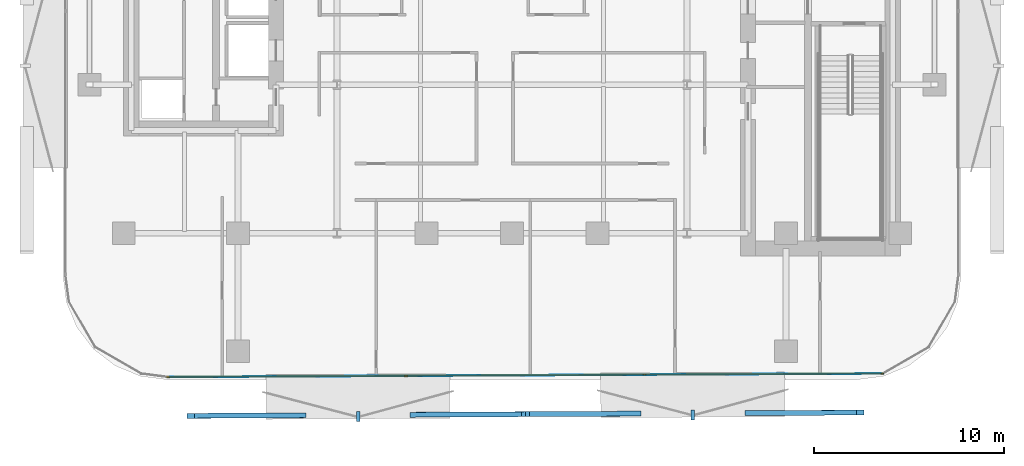
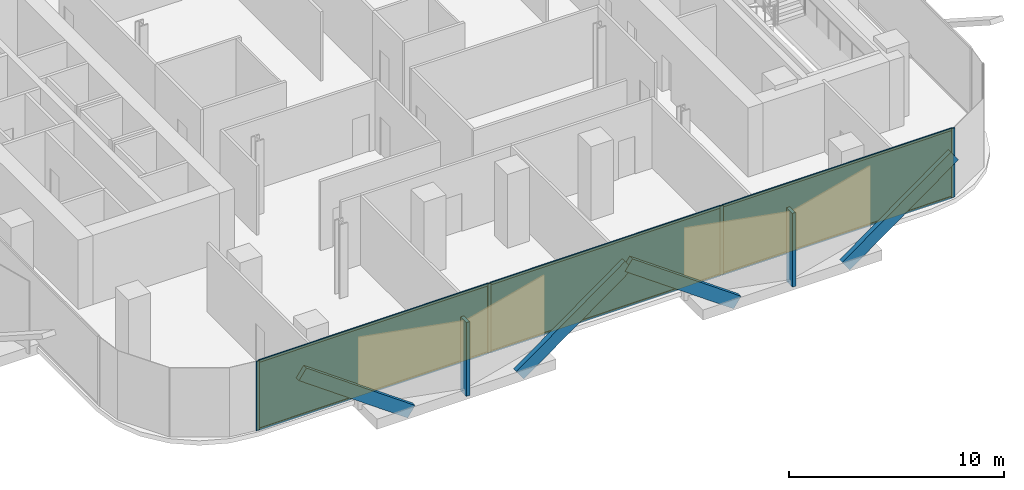
# One storey, part 8 of 16: 16 members, 3 plates, 1 curtain wall.
"""IFC4 building model written with IfcOpenShell, lengths in metres."""

from ifc_helpers import new_model, si_unit, direction, frame, frame_2d, origin, origin_2d, place, context, subcontext, project, spatial, rectangle, extrude, material, layer, layer_set, material_profile, profile_set, type_object, element, aggregate, save


model = new_model("IFC4")

# Units and contexts
model_context = context("Model", 3, precision=1e-05, world=origin(), true_north=direction((0.0, 1.0)))
body_context = subcontext(model_context, "Body", "Model", "MODEL_VIEW")
ifc_project = project(units=[si_unit("LENGTHUNIT", "METRE"), si_unit("AREAUNIT", "SQUARE_METRE"), si_unit("VOLUMEUNIT", "CUBIC_METRE"), si_unit("PLANEANGLEUNIT", "RADIAN"), si_unit("MASSUNIT", "GRAM", prefix="KILO")], contexts=[model_context])

# Member
ifc_material_1 = material(Name="Anodised Bronze Aluminium 6063-T6", Category="aluminium")
ifc_material_profile_1 = material_profile(ifc_material_1, rectangle(XDim=0.260009765625, YDim=0.699951171875, at=origin_2d()))
ifc_profile_set_1 = profile_set([ifc_material_profile_1], Name="Anodised Bronze Aluminium 6063-T6")
member_type_1 = type_object("IfcMemberType", Name="Bronze Diamond Solar-Screen Lattice Rib BDL-700", PredefinedType="MULLION", material=ifc_profile_set_1)
site_placement = place(None, origin())
building_placement = place(site_placement, origin())
storey_placement = place(building_placement, frame((0.0, 0.0, 139.39990234375)))
member_1_placement = place(storey_placement, frame((6.571044921875, -28.079345703125, -0.1298828125), z_axis=(-0.812934840677, -0.003994433113, 0.582340956243), x_axis=(-0.007759286777, 0.999962004517, -0.003972781225)))
member_1 = element("IfcMember", 1, at=member_1_placement, type_object=member_type_1, Name="L32 Bronze Diamond Solar Screen Lattice Rib 201A", PredefinedType="MULLION", context=body_context, shape_type="SweptSolid", body=[
    extrude(rectangle(XDim=0.260009765625, YDim=0.699951171875, at=origin_2d()), origin(), (0.0, 0.0, 1.0), 7.212158203125),
])

member_2_placement = place(storey_placement, frame((12.43408203125, -28.05078125, -0.1298828125), z_axis=(0.812934840677, 0.003994433113, 0.582340956243), x_axis=(0.007759286777, -0.999962004517, -0.003972781225)))
member_2 = element("IfcMember", 2, at=member_2_placement, type_object=member_type_1, Name="L32 Bronze Diamond Solar Screen Lattice Rib 201B", PredefinedType="MULLION", context=body_context, shape_type="SweptSolid", body=[
    extrude(rectangle(XDim=0.260009765625, YDim=0.699951171875, at=origin_2d()), origin(), (0.0, 0.0, 1.0), 7.212158203125),
])

member_3_placement = place(storey_placement, frame((-11.017822265625, -28.165283203125, -0.1298828125), z_axis=(-0.812934840677, -0.003994433113, 0.582340956243), x_axis=(-0.007759286777, 0.999962004517, -0.003972781225)))
member_3 = element("IfcMember", 3, at=member_3_placement, type_object=member_type_1, Name="L32 Bronze Diamond Solar Screen Lattice Rib 202A", PredefinedType="MULLION", context=body_context, shape_type="SweptSolid", body=[
    extrude(rectangle(XDim=0.260009765625, YDim=0.699951171875, at=origin_2d()), origin(), (0.0, 0.0, 1.0), 7.212158203125),
])

member_4_placement = place(storey_placement, frame((-5.15478515625, -28.13671875, -0.1298828125), z_axis=(0.812923469496, 0.00396069151, 0.582357060287), x_axis=(0.007717930273, -0.999962324795, -0.003972724849)))
member_4 = element("IfcMember", 4, at=member_4_placement, type_object=member_type_1, Name="L32 Bronze Diamond Solar Screen Lattice Rib 202B", PredefinedType="MULLION", context=body_context, shape_type="SweptSolid", body=[
    extrude(rectangle(XDim=0.260009765625, YDim=0.699951171875, at=origin_2d()), origin(), (0.0, 0.0, 1.0), 7.2119140625),
])

ifc_material_2 = material(Name="Anodised Bronze Aluminium 6063-T6", Category="aluminium")
ifc_material_profile_2 = material_profile(ifc_material_2, rectangle(XDim=0.179931640625, YDim=0.5400390625, at=origin_2d()))
ifc_profile_set_2 = profile_set([ifc_material_profile_2], Name="Anodised Bronze Aluminium 6063-T6")
member_type_2 = type_object("IfcMemberType", Name="Bronze Solar-Screen Vertical Fold Fin BSF-540", PredefinedType="MULLION", material=ifc_profile_set_2)
member_5_placement = place(storey_placement, frame((9.5029296875, -28.14501953125, -0.1298828125), z_axis=(0.0, 0.0, 1.0), x_axis=(-0.999988059021, -0.004886902454, 0.0)))
member_5 = element("IfcMember", 5, at=member_5_placement, type_object=member_type_2, Name="L32 Bronze Solar Screen Vertical Fin 201", PredefinedType="MULLION", context=body_context, shape_type="SweptSolid", body=[
    extrude(rectangle(XDim=0.179931640625, YDim=0.5400390625, at=origin_2d()), origin(), (0.0, 0.0, 1.0), 4.199951171875),
])

member_6_placement = place(storey_placement, frame((-8.0859375, -28.231201171875, -0.1298828125), z_axis=(0.0, 0.0, 1.0), x_axis=(-0.999988059021, -0.004886902454, 0.0)))
member_6 = element("IfcMember", 6, at=member_6_placement, type_object=member_type_2, Name="L32 Bronze Solar Screen Vertical Fin 202", PredefinedType="MULLION", context=body_context, shape_type="SweptSolid", body=[
    extrude(rectangle(XDim=0.179931640625, YDim=0.5400390625, at=origin_2d()), origin(), (0.0, 0.0, 1.0), 4.199951171875),
])

ifc_material_3 = material(Name="Anodised Bronze Aluminium 6063-T6", Category="aluminium")
ifc_material_profile_3 = material_profile(ifc_material_3, rectangle(XDim=0.06494140625, YDim=0.175048828125, at=origin_2d()))
ifc_profile_set_3 = profile_set([ifc_material_profile_3], Name="Anodised Bronze Aluminium 6063-T6")
member_type_3 = type_object("IfcMemberType", Name="CW-Z2 Mullion 65x175", PredefinedType="MULLION", material=ifc_profile_set_3)
member_7_placement = place(storey_placement, frame((19.45458984375, -25.976318359375, 0.0), z_axis=(0.0, 0.0, 1.0), x_axis=(0.004891127252, -0.999988038366, 0.0)))
member_7 = element("IfcMember", 7, at=member_7_placement, type_object=member_type_3, Name="CW-Z2 mullion 1", PredefinedType="MULLION", context=body_context, shape_type="SweptSolid", body=[
    extrude(rectangle(XDim=0.06494140625, YDim=0.175048828125, at=origin_2d()), origin(), (0.0, 0.0, 1.0), 3.940185546875),
])

member_8_placement = place(storey_placement, frame((6.961181640625, -26.037353515625, 0.0), z_axis=(0.0, 0.0, 1.0), x_axis=(0.004891127252, -0.999988038366, 0.0)))
member_8 = element("IfcMember", 8, at=member_8_placement, type_object=member_type_3, Name="CW-Z2 mullion 2", PredefinedType="MULLION", context=body_context, shape_type="SweptSolid", body=[
    extrude(rectangle(XDim=0.06494140625, YDim=0.175048828125, at=origin_2d()), origin(), (0.0, 0.0, 1.0), 3.940185546875),
])

member_9_placement = place(storey_placement, frame((-5.56494140625, -26.0986328125, 0.0), z_axis=(0.0, 0.0, 1.0), x_axis=(0.004891127252, -0.999988038366, 0.0)))
member_9 = element("IfcMember", 9, at=member_9_placement, type_object=member_type_3, Name="CW-Z2 mullion 3", PredefinedType="MULLION", context=body_context, shape_type="SweptSolid", body=[
    extrude(rectangle(XDim=0.06494140625, YDim=0.175048828125, at=origin_2d()), origin(), (0.0, 0.0, 1.0), 3.940185546875),
])

member_10_placement = place(storey_placement, frame((-18.058349609375, -26.159912109375, 0.0), z_axis=(0.0, 0.0, 1.0), x_axis=(0.004891127252, -0.999988038366, 0.0)))
member_10 = element("IfcMember", 10, at=member_10_placement, type_object=member_type_3, Name="CW-Z2 mullion 4", PredefinedType="MULLION", context=body_context, shape_type="SweptSolid", body=[
    extrude(rectangle(XDim=0.06494140625, YDim=0.175048828125, at=origin_2d()), origin(), (0.0, 0.0, 1.0), 3.940185546875),
])

ifc_material_4 = material(Name="Anodised Bronze Aluminium 6063-T6", Category="aluminium")
ifc_material_profile_4 = material_profile(ifc_material_4, rectangle(XDim=0.06494140625, YDim=0.135009765625, at=origin_2d()))
ifc_profile_set_4 = profile_set([ifc_material_profile_4], Name="Anodised Bronze Aluminium 6063-T6")
member_type_4 = type_object("IfcMemberType", Name="CW-Z2 Transom 65x135", PredefinedType="USERDEFINED", material=ifc_profile_set_4)
member_11_placement = place(storey_placement, frame((19.422119140625, -25.9765625, 0.03271484375), z_axis=(-0.999988037942, -0.00489121381, 0.0), x_axis=(0.00489121381, -0.999988037942, 0.0)))
member_11 = element("IfcMember", 11, at=member_11_placement, type_object=member_type_4, Name="CW-Z2 transom 1.1", ObjectType="TRANSOM", PredefinedType="USERDEFINED", context=body_context, shape_type="SweptSolid", body=[
    extrude(rectangle(XDim=0.06494140625, YDim=0.135009765625, at=origin_2d()), origin(), (0.0, 0.0, 1.0), 12.4287109375),
])

member_12_placement = place(storey_placement, frame((19.422119140625, -25.9765625, 3.90771484375), z_axis=(-0.999988037942, -0.00489121381, 0.0), x_axis=(0.00489121381, -0.999988037942, 0.0)))
member_12 = element("IfcMember", 12, at=member_12_placement, type_object=member_type_4, Name="CW-Z2 transom 1.2", ObjectType="TRANSOM", PredefinedType="USERDEFINED", context=body_context, shape_type="SweptSolid", body=[
    extrude(rectangle(XDim=0.06494140625, YDim=0.135009765625, at=origin_2d()), origin(), (0.0, 0.0, 1.0), 12.4287109375),
])

member_13_placement = place(storey_placement, frame((6.928466796875, -26.03759765625, 0.03271484375), z_axis=(-0.99998800443, -0.004898060367, 0.0), x_axis=(0.004898060367, -0.99998800443, 0.0)))
member_13 = element("IfcMember", 13, at=member_13_placement, type_object=member_type_4, Name="CW-Z2 transom 2.1", ObjectType="TRANSOM", PredefinedType="USERDEFINED", context=body_context, shape_type="SweptSolid", body=[
    extrude(rectangle(XDim=0.06494140625, YDim=0.135009765625, at=origin_2d()), origin(), (0.0, 0.0, 1.0), 12.461181640625),
])

member_14_placement = place(storey_placement, frame((6.928466796875, -26.03759765625, 3.90771484375), z_axis=(-0.99998800443, -0.004898060367, 0.0), x_axis=(0.004898060367, -0.99998800443, 0.0)))
member_14 = element("IfcMember", 14, at=member_14_placement, type_object=member_type_4, Name="CW-Z2 transom 2.2", ObjectType="TRANSOM", PredefinedType="USERDEFINED", context=body_context, shape_type="SweptSolid", body=[
    extrude(rectangle(XDim=0.06494140625, YDim=0.135009765625, at=origin_2d()), origin(), (0.0, 0.0, 1.0), 12.461181640625),
])

member_15_placement = place(storey_placement, frame((-5.597412109375, -26.098876953125, 0.03271484375), z_axis=(-0.999988037942, -0.00489121381, 0.0), x_axis=(0.00489121381, -0.999988037942, 0.0)))
member_15 = element("IfcMember", 15, at=member_15_placement, type_object=member_type_4, Name="CW-Z2 transom 3.1", ObjectType="TRANSOM", PredefinedType="USERDEFINED", context=body_context, shape_type="SweptSolid", body=[
    extrude(rectangle(XDim=0.06494140625, YDim=0.135009765625, at=origin_2d()), origin(), (0.0, 0.0, 1.0), 12.4287109375),
])

member_16_placement = place(storey_placement, frame((-5.597412109375, -26.098876953125, 3.90771484375), z_axis=(-0.999988037942, -0.00489121381, 0.0), x_axis=(0.00489121381, -0.999988037942, 0.0)))
member_16 = element("IfcMember", 16, at=member_16_placement, type_object=member_type_4, Name="CW-Z2 transom 3.2", ObjectType="TRANSOM", PredefinedType="USERDEFINED", context=body_context, shape_type="SweptSolid", body=[
    extrude(rectangle(XDim=0.06494140625, YDim=0.135009765625, at=origin_2d()), origin(), (0.0, 0.0, 1.0), 12.4287109375),
])

# Plate
ifc_material_5 = material(Name="Low-E Solar Control Laminated Glass", Category="glass")
ifc_layer_1 = layer(ifc_material_5, 0.028076171875, Name="Low-E Solar Control Laminated Glass")
ifc_layer_set_1 = layer_set([ifc_layer_1], Name="Low-E Solar Control Laminated Glass")
plate_type = type_object("IfcPlateType", Name="CW-Z2 Low-E Double Glazed Panel 28mm", PredefinedType="CURTAIN_PANEL", material=ifc_layer_set_1)
plate_1_placement = place(storey_placement, frame((13.207763671875, -26.0068359375, 0.065185546875), z_axis=(0.0, 0.0, 1.0), x_axis=(-0.999988038366, -0.004891127252, 0.0)))
plate_1 = element("IfcPlate", 17, at=plate_1_placement, type_object=plate_type, Name="CW-Z2 panel 1.1", PredefinedType="CURTAIN_PANEL", context=body_context, shape_type="SweptSolid", body=[
    extrude(rectangle(XDim=12.428466796875, YDim=0.028076171875, at=origin_2d()), origin(), (0.0, 0.0, 1.0), 3.81005859375),
])

plate_2_placement = place(storey_placement, frame((0.697998046875, -26.068115234375, 0.065185546875), z_axis=(0.0, 0.0, 1.0), x_axis=(-0.999988038366, -0.004891127252, 0.0)))
plate_2 = element("IfcPlate", 18, at=plate_2_placement, type_object=plate_type, Name="CW-Z2 panel 2.1", PredefinedType="CURTAIN_PANEL", context=body_context, shape_type="SweptSolid", body=[
    extrude(rectangle(XDim=12.461181640625, YDim=0.028076171875, at=origin_2d()), origin(), (0.0, 0.0, 1.0), 3.81005859375),
])

plate_3_placement = place(storey_placement, frame((-11.8115234375, -26.12939453125, 0.065185546875), z_axis=(0.0, 0.0, 1.0), x_axis=(-0.999988038366, -0.004891127252, 0.0)))
plate_3 = element("IfcPlate", 19, at=plate_3_placement, type_object=plate_type, Name="CW-Z2 panel 3.1", PredefinedType="CURTAIN_PANEL", context=body_context, shape_type="SweptSolid", body=[
    extrude(rectangle(XDim=12.428466796875, YDim=0.028076171875, at=origin_2d()), origin(), (0.0, 0.0, 1.0), 3.81005859375),
])

# Site, building, storey
site = spatial("IfcSite", under=ifc_project, at=site_placement, CompositionType="ELEMENT")
building = spatial("IfcBuilding", under=site, at=building_placement, Name="Khairoan Windgate Tower", CompositionType="ELEMENT")
storey = spatial("IfcBuildingStorey", under=building, at=storey_placement, Name="L32", CompositionType="ELEMENT", Elevation=139.39990234375)

# Curtain wall
ifc_material_6 = material(Name="Anodised Bronze Aluminium 6063-T6", Category="aluminium")
ifc_layer_2 = layer(ifc_material_6, 0.175048828125, Name="Anodised Bronze Aluminium 6063-T6")
ifc_layer_set_2 = layer_set([ifc_layer_2], Name="Anodised Bronze Aluminium 6063-T6")
curtain_wall_type = type_object("IfcCurtainWallType", Name="Mid-Rise Office Unitised Curtain Wall CW-Z2", PredefinedType="NOTDEFINED", material=ifc_layer_set_2)
curtain_wall_placement = place(storey_placement, frame((19.487060546875, -25.976318359375, 0.0), z_axis=(0.0, 0.0, 1.0), x_axis=(-0.999988065247, -0.004885628318, 0.0)))
curtain_wall = element("IfcCurtainWall", 20, at=curtain_wall_placement, inside=storey, type_object=curtain_wall_type, Name="L32 Unitised Curtain Wall 1", PredefinedType="NOTDEFINED", context=body_context, shape_type="SweptSolid", body=[
    extrude(rectangle(XDim=37.578369140625, YDim=0.010009765625, at=frame_2d((18.7890625, 0.0))), origin(), (0.0, 0.0, 1.0), 3.940185546875),
])

aggregate(curtain_wall, [member_7, member_8, member_9, member_10, member_11, member_12, plate_1, member_13, member_14, plate_2, member_15, member_16, plate_3, member_1, member_2, member_5, member_3, member_4, member_6])

save(model, "model.ifc")
